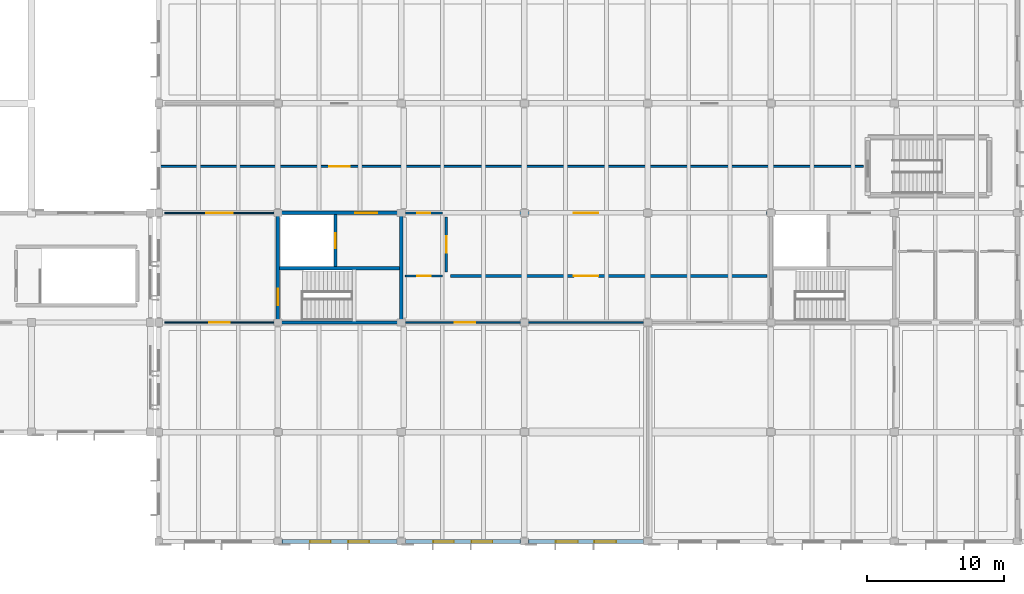
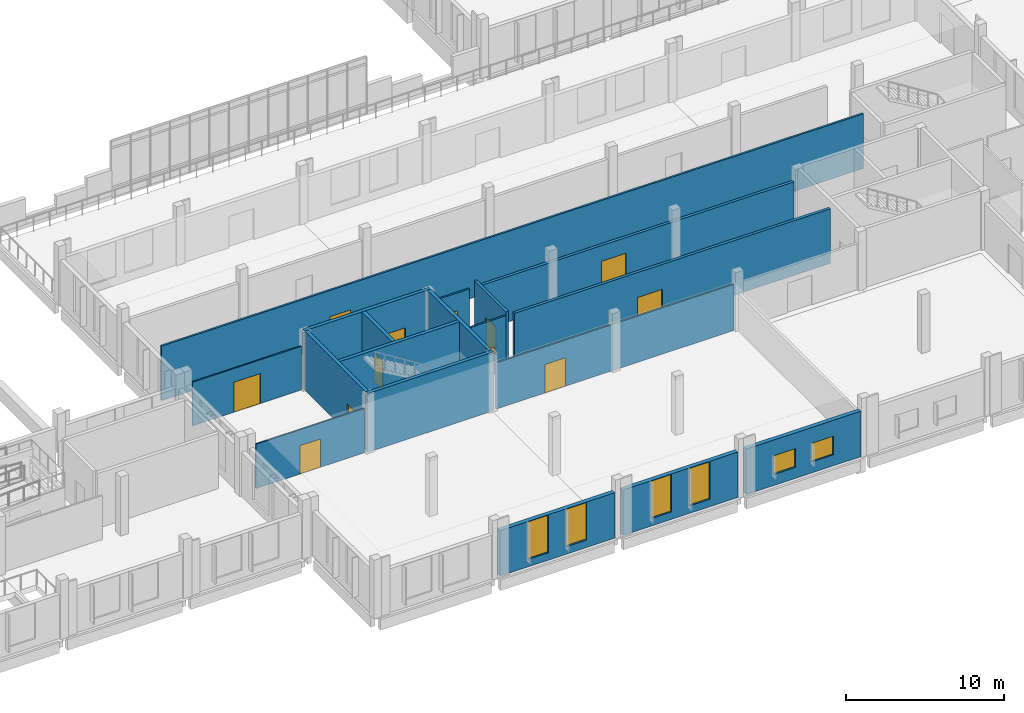
# One storey, part 40 of 63: 18 walls, 12 doors, 6 windows, 18 openings.
"""IFC4 building model written with IfcOpenShell, lengths in metres."""

from ifc_helpers import new_model, si_unit, direction, frame, frame_2d, origin, place, context, subcontext, project, spatial, rectangle, extrude, material, layer, layer_set, type_object, element, fill, save


model = new_model("IFC4")

# Units and contexts
model_context = context("Model", 3, precision=1e-05, world=origin(), true_north=direction((0.0, 1.0)))
body_context = subcontext(model_context, "Body", "Model", "MODEL_VIEW")
ifc_project = project(units=[si_unit("LENGTHUNIT", "METRE"), si_unit("AREAUNIT", "SQUARE_METRE"), si_unit("VOLUMEUNIT", "CUBIC_METRE"), si_unit("PLANEANGLEUNIT", "RADIAN"), si_unit("MASSUNIT", "GRAM", prefix="KILO")], contexts=[model_context])

# Site, building, storey
site_placement = place(None, origin())
site = spatial("IfcSite", under=ifc_project, at=site_placement, CompositionType="ELEMENT")
building_placement = place(site_placement, origin())
building = spatial("IfcBuilding", under=site, at=building_placement, Name="Zacnel Wholesale Market", CompositionType="ELEMENT")
storey_placement = place(building_placement, frame((0.0, 0.0, 11.199951171875)))
storey = spatial("IfcBuildingStorey", under=building, at=storey_placement, Name="L03", CompositionType="ELEMENT", Elevation=11.199951171875)

# Wall, opening, door
ifc_material_1 = material(Name="PIR insulated cold-store panel")
ifc_layer_1 = layer(ifc_material_1, 0.195068359375)
ifc_layer_set_1 = layer_set([ifc_layer_1], Name="PIR insulated cold-store panel")
wall_type_1 = type_object("IfcWallType", Name="WL-COLD-INT195", PredefinedType="STANDARD", material=ifc_layer_set_1)
wall_1_placement = place(storey_placement, frame((165.300048828125, 19.699951171875, 0.0), z_axis=(0.0, 0.0, 1.0), x_axis=(0.0, 1.0, 0.0)))
wall_1 = element("IfcWall", 1, at=wall_1_placement, inside=storey, type_object=wall_type_1, Name="Interior partition L03-0178", PredefinedType="STANDARD", context=body_context, shape_type="SweptSolid", body=[
    extrude(rectangle(XDim=4.0, YDim=0.195068359375, at=frame_2d((2.0, 0.0))), origin(), (0.0, 0.0, 1.0), 4.22998046875),
])
opening_1_placement = place(wall_1_placement, frame((1.39990234375, 0.0, 0.0)))
opening_1 = element("IfcOpeningElement", 2, at=opening_1_placement, cuts=wall_1, Name="Opening FD-01", PredefinedType="OPENING", context=body_context, shape_type="SweptSolid", body=[
    extrude(rectangle(XDim=1.199951171875, YDim=2.199951171875, at=frame_2d((0.60009765625, 1.10009765625))), frame((0.0, 0.107421875, 0.0), z_axis=(0.0, -1.0, 0.0), x_axis=(1.0, 0.0, 0.0)), (0.0, 0.0, 1.0), 0.215087890625),
])
ifc_material_2 = material(Name="Galvanized steel", Category="steel")
door_type_1 = type_object("IfcDoorType", Name="DR-FIRE-STAIR-1200", OperationType="NOTDEFINED", PredefinedType="DOOR", material=ifc_material_2)
door_1_placement = place(opening_1_placement, origin())
door_1 = element("IfcDoor", 3, at=door_1_placement, inside=storey, type_object=door_type_1, Name="Interior door L03-0141", OperationType="SINGLE_SWING_RIGHT", OverallHeight=2.199951171875, OverallWidth=1.199951171875, PredefinedType="DOOR", context=body_context, shape_type="SweptSolid", body=[
    extrude(rectangle(XDim=1.199951171875, YDim=2.199951171875, at=frame_2d((0.60009765625, 1.10009765625))), frame((0.0, 0.02490234375, 0.0), z_axis=(0.0, -1.0, 0.0), x_axis=(1.0, 0.0, 0.0)), (0.0, 0.0, 1.0), 0.050048828125),
])
fill(opening_1, door_1)

ifc_material_3 = material(Name="PIR insulated cold-store panel")
ifc_layer_2 = layer(ifc_material_3, 0.2099609375)
ifc_layer_set_2 = layer_set([ifc_layer_2], Name="PIR insulated cold-store panel")
wall_type_2 = type_object("IfcWallType", Name="WL-COLD-INT210", PredefinedType="STANDARD", material=ifc_layer_set_2)
wall_2_placement = place(storey_placement, frame((165.60009765625, 24.0, 0.0), z_axis=(0.0, 0.0, 1.0), x_axis=(1.0, 0.0, 0.0)))
wall_2 = element("IfcWall", 4, at=wall_2_placement, inside=storey, type_object=wall_type_2, Name="Interior partition L03-0171", PredefinedType="STANDARD", context=body_context, shape_type="SweptSolid", body=[
    extrude(rectangle(XDim=23.099853515625, YDim=0.2099609375, at=frame_2d((11.5498046875, 0.0))), origin(), (0.0, 0.0, 1.0), 3.52001953125),
])
opening_2_placement = place(wall_2_placement, frame((9.0, 0.0, 0.0)))
opening_2 = element("IfcOpeningElement", 5, at=opening_2_placement, cuts=wall_2, Name="Opening FD-03", PredefinedType="OPENING", context=body_context, shape_type="SweptSolid", body=[
    extrude(rectangle(XDim=1.800048828125, YDim=2.300048828125, at=frame_2d((0.89990234375, 1.14990234375))), frame((0.0, 0.114990234375, 0.0), z_axis=(0.0, -1.0, 0.0), x_axis=(1.0, 0.0, 0.0)), (0.0, 0.0, 1.0), 0.22998046875),
])
ifc_material_4 = material(Name="Galvanized steel", Category="steel")
door_type_2 = type_object("IfcDoorType", Name="DR-FIRE-COMP-1800", OperationType="NOTDEFINED", PredefinedType="DOOR", material=ifc_material_4)
door_2_placement = place(opening_2_placement, origin())
door_2 = element("IfcDoor", 6, at=door_2_placement, inside=storey, type_object=door_type_2, Name="Interior door L03-0135", OperationType="SINGLE_SWING_RIGHT", OverallHeight=2.300048828125, OverallWidth=1.800048828125, PredefinedType="DOOR", context=body_context, shape_type="SweptSolid", body=[
    extrude(rectangle(XDim=1.800048828125, YDim=2.300048828125, at=frame_2d((0.89990234375, 1.14990234375))), frame((0.0, 0.02490234375, 0.0), z_axis=(0.0, -1.0, 0.0), x_axis=(1.0, 0.0, 0.0)), (0.0, 0.0, 1.0), 0.050048828125),
])
fill(opening_2, door_2)

wall_3_placement = place(storey_placement, frame((165.60009765625, 19.39990234375, 0.0), z_axis=(0.0, 0.0, 1.0), x_axis=(1.0, 0.0, 0.0)))
wall_3 = element("IfcWall", 7, at=wall_3_placement, inside=storey, type_object=wall_type_2, Name="Interior partition L03-0177", PredefinedType="STANDARD", context=body_context, shape_type="SweptSolid", body=[
    extrude(rectangle(XDim=23.099853515625, YDim=0.2099609375, at=frame_2d((11.5498046875, 0.0))), origin(), (0.0, 0.0, 1.0), 4.22998046875),
])
opening_3_placement = place(wall_3_placement, frame((9.0, 0.0, 0.0)))
opening_3 = element("IfcOpeningElement", 8, at=opening_3_placement, cuts=wall_3, Name="Opening FD-03", PredefinedType="OPENING", context=body_context, shape_type="SweptSolid", body=[
    extrude(rectangle(XDim=1.800048828125, YDim=2.300048828125, at=frame_2d((0.89990234375, 1.14990234375))), frame((0.0, 0.114990234375, 0.0), z_axis=(0.0, -1.0, 0.0), x_axis=(1.0, 0.0, 0.0)), (0.0, 0.0, 1.0), 0.22998046875),
])
door_3_placement = place(opening_3_placement, origin())
door_3 = element("IfcDoor", 9, at=door_3_placement, inside=storey, type_object=door_type_2, Name="Interior door L03-0140", OperationType="SINGLE_SWING_LEFT", OverallHeight=2.300048828125, OverallWidth=1.800048828125, PredefinedType="DOOR", context=body_context, shape_type="SweptSolid", body=[
    extrude(rectangle(XDim=1.800048828125, YDim=2.300048828125, at=frame_2d((0.89990234375, 1.14990234375))), frame((0.0, 0.02490234375, 0.0), z_axis=(0.0, -1.0, 0.0), x_axis=(1.0, 0.0, 0.0)), (0.0, 0.0, 1.0), 0.050048828125),
])
fill(opening_3, door_3)

# Wall
ifc_material_5 = material(Name="Concrete C40/50", Category="concrete")
ifc_layer_3 = layer(ifc_material_5, 0.25)
ifc_layer_set_3 = layer_set([ifc_layer_3], Name="Concrete C40/50")
wall_type_3 = type_object("IfcWallType", Name="WL-CORE-SW250", PredefinedType="SOLIDWALL", material=ifc_layer_set_3)
wall_4_placement = place(storey_placement, frame((152.875, 16.0, 0.0), z_axis=(0.0, 0.0, 1.0), x_axis=(1.0, 0.0, 0.0)))
element("IfcWall", 10, at=wall_4_placement, inside=storey, type_object=wall_type_3, Name="Core C1 south shear wall L03", PredefinedType="SOLIDWALL", context=body_context, shape_type="SweptSolid", body=[
    extrude(rectangle(XDim=9.25, YDim=0.25, at=frame_2d((4.625, 0.0))), origin(), (0.0, 0.0, 1.0), 4.550048828125),
])

# Wall, opening, door
wall_5_placement = place(storey_placement, frame((152.875, 24.0, 0.0), z_axis=(0.0, 0.0, 1.0), x_axis=(1.0, 0.0, 0.0)))
wall_5 = element("IfcWall", 11, at=wall_5_placement, inside=storey, type_object=wall_type_3, Name="Core C1 north shear wall L03", PredefinedType="SOLIDWALL", context=body_context, shape_type="SweptSolid", body=[
    extrude(rectangle(XDim=9.25, YDim=0.25, at=frame_2d((4.625, 0.0))), origin(), (0.0, 0.0, 1.0), 4.550048828125),
])
opening_4_placement = place(wall_5_placement, frame((5.77490234375, 0.0, 0.0)))
opening_4 = element("IfcOpeningElement", 12, at=opening_4_placement, cuts=wall_5, Name="Opening FD-02", PredefinedType="OPENING", context=body_context, shape_type="SweptSolid", body=[
    extrude(rectangle(XDim=1.60009765625, YDim=2.199951171875, at=frame_2d((0.800048828125, 1.10009765625))), frame((0.0, 0.135009765625, 0.0), z_axis=(0.0, -1.0, 0.0), x_axis=(1.0, 0.0, 0.0)), (0.0, 0.0, 1.0), 0.27001953125),
])
ifc_material_6 = material(Name="Galvanized steel", Category="steel")
door_type_3 = type_object("IfcDoorType", Name="DR-FIRE-LOBBY-1600", OperationType="NOTDEFINED", PredefinedType="DOOR", material=ifc_material_6)
door_4_placement = place(opening_4_placement, origin())
door_4 = element("IfcDoor", 13, at=door_4_placement, inside=storey, type_object=door_type_3, Name="Core lift lobby fire door C1 L03", OperationType="SINGLE_SWING_RIGHT", OverallHeight=2.199951171875, OverallWidth=1.60009765625, PredefinedType="DOOR", context=body_context, shape_type="SweptSolid", body=[
    extrude(rectangle(XDim=1.60009765625, YDim=2.199951171875, at=frame_2d((0.800048828125, 1.10009765625))), frame((0.0, 0.02490234375, 0.0), z_axis=(0.0, -1.0, 0.0), x_axis=(1.0, 0.0, 0.0)), (0.0, 0.0, 1.0), 0.050048828125),
])
fill(opening_4, door_4)

wall_6_placement = place(storey_placement, frame((153.0, 16.125, 0.0), z_axis=(0.0, 0.0, 1.0), x_axis=(0.0, 1.0, 0.0)))
wall_6 = element("IfcWall", 14, at=wall_6_placement, inside=storey, type_object=wall_type_3, Name="Core C1 west shear wall L03", PredefinedType="SOLIDWALL", context=body_context, shape_type="SweptSolid", body=[
    extrude(rectangle(XDim=7.75, YDim=0.25, at=frame_2d((3.875, 0.0))), origin(), (0.0, 0.0, 1.0), 4.550048828125),
])
opening_5_placement = place(wall_6_placement, frame((1.14990234375, 0.0, 0.0)))
opening_5 = element("IfcOpeningElement", 15, at=opening_5_placement, cuts=wall_6, Name="Opening FD-01", PredefinedType="OPENING", context=body_context, shape_type="SweptSolid", body=[
    extrude(rectangle(XDim=1.199951171875, YDim=2.199951171875, at=frame_2d((0.60009765625, 1.10009765625))), frame((0.0, 0.135009765625, 0.0), z_axis=(0.0, -1.0, 0.0), x_axis=(1.0, 0.0, 0.0)), (0.0, 0.0, 1.0), 0.27001953125),
])
door_5_placement = place(opening_5_placement, origin())
door_5 = element("IfcDoor", 16, at=door_5_placement, inside=storey, type_object=door_type_1, Name="Protected stair fire door C1 L03", OperationType="SINGLE_SWING_LEFT", OverallHeight=2.199951171875, OverallWidth=1.199951171875, PredefinedType="DOOR", context=body_context, shape_type="SweptSolid", body=[
    extrude(rectangle(XDim=1.199951171875, YDim=2.199951171875, at=frame_2d((0.60009765625, 1.10009765625))), frame((0.0, 0.02490234375, 0.0), z_axis=(0.0, -1.0, 0.0), x_axis=(1.0, 0.0, 0.0)), (0.0, 0.0, 1.0), 0.050048828125),
])
fill(opening_5, door_5)

# Walls
wall_7_placement = place(storey_placement, frame((162.0, 16.125, 0.0), z_axis=(0.0, 0.0, 1.0), x_axis=(0.0, 1.0, 0.0)))
element("IfcWall", 17, at=wall_7_placement, inside=storey, type_object=wall_type_3, Name="Core C1 east shear wall L03", PredefinedType="SOLIDWALL", context=body_context, shape_type="SweptSolid", body=[
    extrude(rectangle(XDim=7.75, YDim=0.25, at=frame_2d((3.875, 0.0))), origin(), (0.0, 0.0, 1.0), 4.550048828125),
])
wall_8_placement = place(storey_placement, frame((153.125, 19.949951171875, 0.0), z_axis=(0.0, 0.0, 1.0), x_axis=(1.0, 0.0, 0.0)))
element("IfcWall", 18, at=wall_8_placement, inside=storey, type_object=wall_type_3, Name="Core C1 stair-shaft shear wall L03", PredefinedType="SOLIDWALL", context=body_context, shape_type="SweptSolid", body=[
    extrude(rectangle(XDim=8.75, YDim=0.25, at=frame_2d((4.375, 0.0))), origin(), (0.0, 0.0, 1.0), 4.550048828125),
])

# Wall, opening, door
wall_9_placement = place(storey_placement, frame((157.199951171875, 20.074951171875, 0.0), z_axis=(0.0, 0.0, 1.0), x_axis=(0.0, 1.0, 0.0)))
wall_9 = element("IfcWall", 19, at=wall_9_placement, inside=storey, type_object=wall_type_3, Name="Core C1 lift shaft front wall L03", PredefinedType="SOLIDWALL", context=body_context, shape_type="SweptSolid", body=[
    extrude(rectangle(XDim=3.800048828125, YDim=0.25, at=frame_2d((1.89990234375, 0.0))), origin(), (0.0, 0.0, 1.0), 4.550048828125),
])
opening_6_placement = place(wall_9_placement, frame((1.35009765625, 0.0, 0.0)))
opening_6 = element("IfcOpeningElement", 20, at=opening_6_placement, cuts=wall_9, Name="Opening LD-01", PredefinedType="OPENING", context=body_context, shape_type="SweptSolid", body=[
    extrude(rectangle(XDim=1.10009765625, YDim=2.199951171875, at=frame_2d((0.550048828125, 1.10009765625))), frame((0.0, 0.135009765625, 0.0), z_axis=(0.0, -1.0, 0.0), x_axis=(1.0, 0.0, 0.0)), (0.0, 0.0, 1.0), 0.27001953125),
])
ifc_material_7 = material(Name="Galvanized steel", Category="steel")
door_type_4 = type_object("IfcDoorType", Name="DR-LIFT-PASS-1100", OperationType="NOTDEFINED", PredefinedType="DOOR", material=ifc_material_7)
door_6_placement = place(opening_6_placement, origin())
door_6 = element("IfcDoor", 21, at=door_6_placement, inside=storey, type_object=door_type_4, Name="Lift landing door LP-01 L03", OperationType="SLIDING_TO_LEFT", OverallHeight=2.199951171875, OverallWidth=1.10009765625, PredefinedType="DOOR", context=body_context, shape_type="SweptSolid", body=[
    extrude(rectangle(XDim=1.10009765625, YDim=2.199951171875, at=frame_2d((0.550048828125, 1.10009765625))), frame((0.0, 0.02490234375, 0.0), z_axis=(0.0, -1.0, 0.0), x_axis=(1.0, 0.0, 0.0)), (0.0, 0.0, 1.0), 0.050048828125),
])
fill(opening_6, door_6)

# Wall, openings, windows
ifc_material_8 = material(Name="Precast concrete C40/50 (Cancun limestone aggregate)", Category="masonry")
ifc_layer_4 = layer(ifc_material_8, 0.300048828125)
ifc_layer_set_4 = layer_set([ifc_layer_4], Name="Precast concrete C40/50 (Cancun limestone aggregate)")
wall_type_4 = type_object("IfcWallType", Name="WL-EXT-LIME-300", PredefinedType="SOLIDWALL", material=ifc_layer_set_4)
wall_10_placement = place(storey_placement, frame((153.300048828125, 0.0, 0.0), z_axis=(0.0, 0.0, 1.0), x_axis=(1.0, 0.0, 0.0)))
wall_10 = element("IfcWall", 22, at=wall_10_placement, inside=storey, type_object=wall_type_4, Name="Exterior wall L03-0378", PredefinedType="SOLIDWALL", context=body_context, shape_type="SweptSolid", body=[
    extrude(rectangle(XDim=8.39990234375, YDim=0.300048828125, at=frame_2d((4.199951171875, 0.0))), origin(), (0.0, 0.0, 1.0), 3.52001953125),
])
opening_7_placement = place(wall_10_placement, frame((2.050048828125, 0.0, 0.580078125)))
opening_7 = element("IfcOpeningElement", 23, at=opening_7_placement, cuts=wall_10, Name="Opening W-04", PredefinedType="OPENING", context=body_context, shape_type="SweptSolid", body=[
    extrude(rectangle(XDim=1.5, YDim=2.89990234375, at=frame_2d((0.75, 1.449951171875))), frame((0.0, 0.159912109375, 0.0), z_axis=(0.0, -1.0, 0.0), x_axis=(1.0, 0.0, 0.0)), (0.0, 0.0, 1.0), 0.320068359375),
])
opening_8_placement = place(wall_10_placement, frame((4.85009765625, 0.0, 0.580078125)))
opening_8 = element("IfcOpeningElement", 24, at=opening_8_placement, cuts=wall_10, Name="Opening W-04", PredefinedType="OPENING", context=body_context, shape_type="SweptSolid", body=[
    extrude(rectangle(XDim=1.5, YDim=2.89990234375, at=frame_2d((0.75, 1.449951171875))), frame((0.0, 0.159912109375, 0.0), z_axis=(0.0, -1.0, 0.0), x_axis=(1.0, 0.0, 0.0)), (0.0, 0.0, 1.0), 0.320068359375),
])
ifc_material_9 = material(Name="Laminated hurricane-impact low-E insulated glass", Category="glass")
window_type_1 = type_object("IfcWindowType", Name="WIN-DEC-1500X2900", PartitioningType="DOUBLE_PANEL_VERTICAL", PredefinedType="WINDOW", material=ifc_material_9)
window_1_placement = place(opening_7_placement, origin())
window_1 = element("IfcWindow", 25, at=window_1_placement, inside=storey, type_object=window_type_1, Name="Window L03-0387", OverallHeight=2.89990234375, OverallWidth=1.5, PartitioningType="DOUBLE_PANEL_VERTICAL", PredefinedType="WINDOW", context=body_context, shape_type="SweptSolid", body=[
    extrude(rectangle(XDim=1.5, YDim=2.89990234375, at=frame_2d((0.75, 1.449951171875))), frame((0.0, 0.030029296875, 0.0), z_axis=(0.0, -1.0, 0.0), x_axis=(1.0, 0.0, 0.0)), (0.0, 0.0, 1.0), 0.06005859375),
])
fill(opening_7, window_1)
window_2_placement = place(opening_8_placement, origin())
window_2 = element("IfcWindow", 26, at=window_2_placement, inside=storey, type_object=window_type_1, Name="Window L03-0388", OverallHeight=2.89990234375, OverallWidth=1.5, PartitioningType="DOUBLE_PANEL_VERTICAL", PredefinedType="WINDOW", context=body_context, shape_type="SweptSolid", body=[
    extrude(rectangle(XDim=1.5, YDim=2.89990234375, at=frame_2d((0.75, 1.449951171875))), frame((0.0, 0.030029296875, 0.0), z_axis=(0.0, -1.0, 0.0), x_axis=(1.0, 0.0, 0.0)), (0.0, 0.0, 1.0), 0.06005859375),
])
fill(opening_8, window_2)

wall_11_placement = place(storey_placement, frame((162.300048828125, 0.0, 0.0), z_axis=(0.0, 0.0, 1.0), x_axis=(1.0, 0.0, 0.0)))
wall_11 = element("IfcWall", 27, at=wall_11_placement, inside=storey, type_object=wall_type_4, Name="Exterior wall L03-0379", PredefinedType="SOLIDWALL", context=body_context, shape_type="SweptSolid", body=[
    extrude(rectangle(XDim=8.39990234375, YDim=0.300048828125, at=frame_2d((4.199951171875, 0.0))), origin(), (0.0, 0.0, 1.0), 3.52001953125),
])
opening_9_placement = place(wall_11_placement, frame((2.050048828125, 0.0, 0.580078125)))
opening_9 = element("IfcOpeningElement", 28, at=opening_9_placement, cuts=wall_11, Name="Opening W-04", PredefinedType="OPENING", context=body_context, shape_type="SweptSolid", body=[
    extrude(rectangle(XDim=1.5, YDim=2.89990234375, at=frame_2d((0.75, 1.449951171875))), frame((0.0, 0.159912109375, 0.0), z_axis=(0.0, -1.0, 0.0), x_axis=(1.0, 0.0, 0.0)), (0.0, 0.0, 1.0), 0.320068359375),
])
opening_10_placement = place(wall_11_placement, frame((4.85009765625, 0.0, 0.580078125)))
opening_10 = element("IfcOpeningElement", 29, at=opening_10_placement, cuts=wall_11, Name="Opening W-04", PredefinedType="OPENING", context=body_context, shape_type="SweptSolid", body=[
    extrude(rectangle(XDim=1.5, YDim=2.89990234375, at=frame_2d((0.75, 1.449951171875))), frame((0.0, 0.159912109375, 0.0), z_axis=(0.0, -1.0, 0.0), x_axis=(1.0, 0.0, 0.0)), (0.0, 0.0, 1.0), 0.320068359375),
])
window_3_placement = place(opening_9_placement, origin())
window_3 = element("IfcWindow", 30, at=window_3_placement, inside=storey, type_object=window_type_1, Name="Window L03-0389", OverallHeight=2.89990234375, OverallWidth=1.5, PartitioningType="DOUBLE_PANEL_VERTICAL", PredefinedType="WINDOW", context=body_context, shape_type="SweptSolid", body=[
    extrude(rectangle(XDim=1.5, YDim=2.89990234375, at=frame_2d((0.75, 1.449951171875))), frame((0.0, 0.030029296875, 0.0), z_axis=(0.0, -1.0, 0.0), x_axis=(1.0, 0.0, 0.0)), (0.0, 0.0, 1.0), 0.06005859375),
])
fill(opening_9, window_3)
window_4_placement = place(opening_10_placement, origin())
window_4 = element("IfcWindow", 31, at=window_4_placement, inside=storey, type_object=window_type_1, Name="Window L03-0390", OverallHeight=2.89990234375, OverallWidth=1.5, PartitioningType="DOUBLE_PANEL_VERTICAL", PredefinedType="WINDOW", context=body_context, shape_type="SweptSolid", body=[
    extrude(rectangle(XDim=1.5, YDim=2.89990234375, at=frame_2d((0.75, 1.449951171875))), frame((0.0, 0.030029296875, 0.0), z_axis=(0.0, -1.0, 0.0), x_axis=(1.0, 0.0, 0.0)), (0.0, 0.0, 1.0), 0.06005859375),
])
fill(opening_10, window_4)

wall_12_placement = place(storey_placement, frame((171.300048828125, 0.0, 0.0), z_axis=(0.0, 0.0, 1.0), x_axis=(1.0, 0.0, 0.0)))
wall_12 = element("IfcWall", 32, at=wall_12_placement, inside=storey, type_object=wall_type_4, Name="Exterior wall L03-0380", PredefinedType="SOLIDWALL", context=body_context, shape_type="SweptSolid", body=[
    extrude(rectangle(XDim=8.39990234375, YDim=0.300048828125, at=frame_2d((4.199951171875, 0.0))), origin(), (0.0, 0.0, 1.0), 3.52001953125),
])
opening_11_placement = place(wall_12_placement, frame((2.0, 0.0, 0.85009765625)))
opening_11 = element("IfcOpeningElement", 33, at=opening_11_placement, cuts=wall_12, Name="Opening W-06", PredefinedType="OPENING", context=body_context, shape_type="SweptSolid", body=[
    extrude(rectangle(XDim=1.60009765625, YDim=1.449951171875, at=frame_2d((0.800048828125, 0.72509765625))), frame((0.0, 0.159912109375, 0.0), z_axis=(0.0, -1.0, 0.0), x_axis=(1.0, 0.0, 0.0)), (0.0, 0.0, 1.0), 0.320068359375),
])
opening_12_placement = place(wall_12_placement, frame((4.800048828125, 0.0, 0.85009765625)))
opening_12 = element("IfcOpeningElement", 34, at=opening_12_placement, cuts=wall_12, Name="Opening W-06", PredefinedType="OPENING", context=body_context, shape_type="SweptSolid", body=[
    extrude(rectangle(XDim=1.60009765625, YDim=1.449951171875, at=frame_2d((0.800048828125, 0.72509765625))), frame((0.0, 0.159912109375, 0.0), z_axis=(0.0, -1.0, 0.0), x_axis=(1.0, 0.0, 0.0)), (0.0, 0.0, 1.0), 0.320068359375),
])
ifc_material_10 = material(Name="Laminated hurricane-impact low-E insulated glass", Category="glass")
window_type_2 = type_object("IfcWindowType", Name="WIN-HIG-1600X1450", PartitioningType="DOUBLE_PANEL_HORIZONTAL", PredefinedType="WINDOW", material=ifc_material_10)
window_5_placement = place(opening_11_placement, origin())
window_5 = element("IfcWindow", 35, at=window_5_placement, inside=storey, type_object=window_type_2, Name="Window L03-0391", OverallHeight=1.449951171875, OverallWidth=1.60009765625, PartitioningType="DOUBLE_PANEL_HORIZONTAL", PredefinedType="WINDOW", context=body_context, shape_type="SweptSolid", body=[
    extrude(rectangle(XDim=1.60009765625, YDim=1.449951171875, at=frame_2d((0.800048828125, 0.72509765625))), frame((0.0, 0.030029296875, 0.0), z_axis=(0.0, -1.0, 0.0), x_axis=(1.0, 0.0, 0.0)), (0.0, 0.0, 1.0), 0.06005859375),
])
fill(opening_11, window_5)
window_6_placement = place(opening_12_placement, origin())
window_6 = element("IfcWindow", 36, at=window_6_placement, inside=storey, type_object=window_type_2, Name="Window L03-0392", OverallHeight=1.449951171875, OverallWidth=1.60009765625, PartitioningType="DOUBLE_PANEL_HORIZONTAL", PredefinedType="WINDOW", context=body_context, shape_type="SweptSolid", body=[
    extrude(rectangle(XDim=1.60009765625, YDim=1.449951171875, at=frame_2d((0.800048828125, 0.72509765625))), frame((0.0, 0.030029296875, 0.0), z_axis=(0.0, -1.0, 0.0), x_axis=(1.0, 0.0, 0.0)), (0.0, 0.0, 1.0), 0.06005859375),
])
fill(opening_12, window_6)

# Wall, opening, door
ifc_material_11 = material(Name="Moisture-resistant gypsum board partition")
ifc_layer_5 = layer(ifc_material_11, 0.10009765625)
ifc_layer_set_5 = layer_set([ifc_layer_5], Name="Moisture-resistant gypsum board partition")
wall_type_5 = type_object("IfcWallType", Name="WL-PART-GYP100", PredefinedType="PARTITIONING", material=ifc_layer_set_5)
wall_13_placement = place(storey_placement, frame((144.75, 24.0, 0.0), z_axis=(0.0, 0.0, 1.0), x_axis=(1.0, 0.0, 0.0)))
wall_13 = element("IfcWall", 37, at=wall_13_placement, inside=storey, type_object=wall_type_5, Name="Interior partition L03-0172", PredefinedType="PARTITIONING", context=body_context, shape_type="SweptSolid", body=[
    extrude(rectangle(XDim=7.949951171875, YDim=0.10009765625, at=frame_2d((3.97509765625, 0.0))), origin(), (0.0, 0.0, 1.0), 3.380126953125),
])
opening_13_placement = place(wall_13_placement, frame((3.0048828125, 0.0, 0.0)))
opening_13 = element("IfcOpeningElement", 38, at=opening_13_placement, cuts=wall_13, Name="Opening ID-16", PredefinedType="OPENING", context=body_context, shape_type="SweptSolid", body=[
    extrude(rectangle(XDim=1.93994140625, YDim=2.320068359375, at=frame_2d((0.969970703125, 1.16015625))), frame((0.0, 0.06005859375, 0.0), z_axis=(0.0, -1.0, 0.0), x_axis=(1.0, 0.0, 0.0)), (0.0, 0.0, 1.0), 0.1201171875),
])
ifc_material_12 = material(Name="Solid-core tropical hardwood door", Category="wood")
door_type_5 = type_object("IfcDoorType", Name="DR-HALL-DBL-1940", OperationType="NOTDEFINED", PredefinedType="DOOR", material=ifc_material_12)
door_7_placement = place(opening_13_placement, origin())
door_7 = element("IfcDoor", 39, at=door_7_placement, inside=storey, type_object=door_type_5, Name="Interior door L03-0136", OperationType="DOUBLE_DOOR_SINGLE_SWING", OverallHeight=2.320068359375, OverallWidth=1.93994140625, PredefinedType="DOOR", context=body_context, shape_type="SweptSolid", body=[
    extrude(rectangle(XDim=1.93994140625, YDim=2.320068359375, at=frame_2d((0.969970703125, 1.16015625))), frame((0.0, 0.02490234375, 0.0), z_axis=(0.0, -1.0, 0.0), x_axis=(1.0, 0.0, 0.0)), (0.0, 0.0, 1.0), 0.050048828125),
])
fill(opening_13, door_7)

wall_14_placement = place(storey_placement, frame((144.75, 16.0, 0.0), z_axis=(0.0, 0.0, 1.0), x_axis=(1.0, 0.0, 0.0)))
wall_14 = element("IfcWall", 40, at=wall_14_placement, inside=storey, type_object=wall_type_5, Name="Interior partition L03-0180", PredefinedType="PARTITIONING", context=body_context, shape_type="SweptSolid", body=[
    extrude(rectangle(XDim=7.949951171875, YDim=0.10009765625, at=frame_2d((3.97509765625, 0.0))), origin(), (0.0, 0.0, 1.0), 3.429931640625),
])
opening_14_placement = place(wall_14_placement, frame((3.22509765625, 0.0, 0.0)))
opening_14 = element("IfcOpeningElement", 41, at=opening_14_placement, cuts=wall_14, Name="Opening ID-09", PredefinedType="OPENING", context=body_context, shape_type="SweptSolid", body=[
    extrude(rectangle(XDim=1.5, YDim=2.199951171875, at=frame_2d((0.75, 1.10009765625))), frame((0.0, 0.06005859375, 0.0), z_axis=(0.0, -1.0, 0.0), x_axis=(1.0, 0.0, 0.0)), (0.0, 0.0, 1.0), 0.1201171875),
])
ifc_material_13 = material(Name="Galvanized steel", Category="steel")
door_type_6 = type_object("IfcDoorType", Name="DR-KIT-DBL-1500", OperationType="NOTDEFINED", PredefinedType="DOOR", material=ifc_material_13)
door_8_placement = place(opening_14_placement, origin())
door_8 = element("IfcDoor", 42, at=door_8_placement, inside=storey, type_object=door_type_6, Name="Interior door L03-0142", OperationType="DOUBLE_DOOR_SINGLE_SWING", OverallHeight=2.199951171875, OverallWidth=1.5, PredefinedType="DOOR", context=body_context, shape_type="SweptSolid", body=[
    extrude(rectangle(XDim=1.5, YDim=2.199951171875, at=frame_2d((0.75, 1.10009765625))), frame((0.0, 0.02490234375, 0.0), z_axis=(0.0, -1.0, 0.0), x_axis=(1.0, 0.0, 0.0)), (0.0, 0.0, 1.0), 0.050048828125),
])
fill(opening_14, door_8)

ifc_material_14 = material(Name="Moisture-resistant gypsum board partition")
ifc_layer_6 = layer(ifc_material_14, 0.110107421875)
ifc_layer_set_6 = layer_set([ifc_layer_6], Name="Moisture-resistant gypsum board partition")
wall_type_6 = type_object("IfcWallType", Name="WL-PART-GYP110", PredefinedType="PARTITIONING", material=ifc_layer_set_6)
wall_15_placement = place(storey_placement, frame((162.300048828125, 16.0, 0.0), z_axis=(0.0, 0.0, 1.0), x_axis=(1.0, 0.0, 0.0)))
wall_15 = element("IfcWall", 43, at=wall_15_placement, inside=storey, type_object=wall_type_6, Name="Interior partition L03-0175", PredefinedType="PARTITIONING", context=body_context, shape_type="SweptSolid", body=[
    extrude(rectangle(XDim=17.39990234375, YDim=0.110107421875, at=frame_2d((8.699951171875, 0.0))), origin(), (0.0, 0.0, 1.0), 3.570068359375),
])
opening_15_placement = place(wall_15_placement, frame((3.60009765625, 0.0, 0.0)))
opening_15 = element("IfcOpeningElement", 44, at=opening_15_placement, cuts=wall_15, Name="Opening ID-09", PredefinedType="OPENING", context=body_context, shape_type="SweptSolid", body=[
    extrude(rectangle(XDim=1.5, YDim=2.199951171875, at=frame_2d((0.75, 1.10009765625))), frame((0.0, 0.06494140625, 0.0), z_axis=(0.0, -1.0, 0.0), x_axis=(1.0, 0.0, 0.0)), (0.0, 0.0, 1.0), 0.130126953125),
])
door_9_placement = place(opening_15_placement, origin())
door_9 = element("IfcDoor", 45, at=door_9_placement, inside=storey, type_object=door_type_6, Name="Interior door L03-0138", OperationType="DOUBLE_DOOR_SINGLE_SWING", OverallHeight=2.199951171875, OverallWidth=1.5, PredefinedType="DOOR", context=body_context, shape_type="SweptSolid", body=[
    extrude(rectangle(XDim=1.5, YDim=2.199951171875, at=frame_2d((0.75, 1.10009765625))), frame((0.0, 0.02490234375, 0.0), z_axis=(0.0, -1.0, 0.0), x_axis=(1.0, 0.0, 0.0)), (0.0, 0.0, 1.0), 0.050048828125),
])
fill(opening_15, door_9)

ifc_material_15 = material(Name="Moisture-resistant gypsum board partition")
ifc_layer_7 = layer(ifc_material_15, 0.125)
ifc_layer_set_7 = layer_set([ifc_layer_7], Name="Moisture-resistant gypsum board partition")
wall_type_7 = type_object("IfcWallType", Name="WL-PART-GYP125", PredefinedType="PARTITIONING", material=ifc_layer_set_7)
wall_16_placement = place(storey_placement, frame((162.300048828125, 24.0, 0.0), z_axis=(0.0, 0.0, 1.0), x_axis=(1.0, 0.0, 0.0)))
wall_16 = element("IfcWall", 46, at=wall_16_placement, inside=storey, type_object=wall_type_7, Name="Interior partition L03-0170", PredefinedType="PARTITIONING", context=body_context, shape_type="SweptSolid", body=[
    extrude(rectangle(XDim=2.699951171875, YDim=0.125, at=frame_2d((1.35009765625, 0.0))), origin(), (0.0, 0.0, 1.0), 3.52001953125),
])
opening_16_placement = place(wall_16_placement, frame((0.8798828125, 0.0, 0.0)))
opening_16 = element("IfcOpeningElement", 47, at=opening_16_placement, cuts=wall_16, Name="Opening ID-11", PredefinedType="OPENING", context=body_context, shape_type="SweptSolid", body=[
    extrude(rectangle(XDim=0.93994140625, YDim=2.139892578125, at=frame_2d((0.469970703125, 1.06982421875))), frame((0.0, 0.072509765625, 0.0), z_axis=(0.0, -1.0, 0.0), x_axis=(1.0, 0.0, 0.0)), (0.0, 0.0, 1.0), 0.14501953125),
])
ifc_material_16 = material(Name="Solid-core tropical hardwood door", Category="wood")
door_type_7 = type_object("IfcDoorType", Name="DR-OFF-SGL-940", OperationType="NOTDEFINED", PredefinedType="DOOR", material=ifc_material_16)
door_10_placement = place(opening_16_placement, origin())
door_10 = element("IfcDoor", 48, at=door_10_placement, inside=storey, type_object=door_type_7, Name="Interior door L03-0134", OperationType="SINGLE_SWING_LEFT", OverallHeight=2.139892578125, OverallWidth=0.93994140625, PredefinedType="DOOR", context=body_context, shape_type="SweptSolid", body=[
    extrude(rectangle(XDim=0.93994140625, YDim=2.139892578125, at=frame_2d((0.469970703125, 1.06982421875))), frame((0.0, 0.02490234375, 0.0), z_axis=(0.0, -1.0, 0.0), x_axis=(1.0, 0.0, 0.0)), (0.0, 0.0, 1.0), 0.050048828125),
])
fill(opening_16, door_10)

wall_17_placement = place(storey_placement, frame((162.300048828125, 19.39990234375, 0.0), z_axis=(0.0, 0.0, 1.0), x_axis=(1.0, 0.0, 0.0)))
wall_17 = element("IfcWall", 49, at=wall_17_placement, inside=storey, type_object=wall_type_7, Name="Interior partition L03-0174", PredefinedType="PARTITIONING", context=body_context, shape_type="SweptSolid", body=[
    extrude(rectangle(XDim=2.699951171875, YDim=0.125, at=frame_2d((1.35009765625, 0.0))), origin(), (0.0, 0.0, 1.0), 4.22998046875),
])
opening_17_placement = place(wall_17_placement, frame((0.860107421875, 0.0, 0.0)))
opening_17 = element("IfcOpeningElement", 50, at=opening_17_placement, cuts=wall_17, Name="Opening ID-04", PredefinedType="OPENING", context=body_context, shape_type="SweptSolid", body=[
    extrude(rectangle(XDim=0.97998046875, YDim=2.1201171875, at=frame_2d((0.489990234375, 1.06005859375))), frame((0.0, 0.072509765625, 0.0), z_axis=(0.0, -1.0, 0.0), x_axis=(1.0, 0.0, 0.0)), (0.0, 0.0, 1.0), 0.14501953125),
])
ifc_material_17 = material(Name="Solid-core tropical hardwood door", Category="wood")
door_type_8 = type_object("IfcDoorType", Name="DR-OFF-SGL-980", OperationType="NOTDEFINED", PredefinedType="DOOR", material=ifc_material_17)
door_11_placement = place(opening_17_placement, origin())
door_11 = element("IfcDoor", 51, at=door_11_placement, inside=storey, type_object=door_type_8, Name="Interior door L03-0137", OperationType="SINGLE_SWING_LEFT", OverallHeight=2.1201171875, OverallWidth=0.97998046875, PredefinedType="DOOR", context=body_context, shape_type="SweptSolid", body=[
    extrude(rectangle(XDim=0.97998046875, YDim=2.1201171875, at=frame_2d((0.489990234375, 1.06005859375))), frame((0.0, 0.02490234375, 0.0), z_axis=(0.0, -1.0, 0.0), x_axis=(1.0, 0.0, 0.0)), (0.0, 0.0, 1.0), 0.050048828125),
])
fill(opening_17, door_11)

ifc_material_18 = material(Name="Moisture-resistant gypsum board partition")
ifc_layer_8 = layer(ifc_material_18, 0.139892578125)
ifc_layer_set_8 = layer_set([ifc_layer_8], Name="Moisture-resistant gypsum board partition")
wall_type_8 = type_object("IfcWallType", Name="WL-PART-GYP140", PredefinedType="PARTITIONING", material=ifc_layer_set_8)
wall_18_placement = place(storey_placement, frame((144.429931640625, 27.39990234375, 0.0), z_axis=(0.0, 0.0, 1.0), x_axis=(1.0, 0.0, 0.0)))
wall_18 = element("IfcWall", 52, at=wall_18_placement, inside=storey, type_object=wall_type_8, Name="Interior partition L03-0169", PredefinedType="PARTITIONING", context=body_context, shape_type="SweptSolid", body=[
    extrude(rectangle(XDim=51.320068359375, YDim=0.139892578125, at=frame_2d((25.66015625, 0.0))), origin(), (0.0, 0.0, 1.0), 4.22998046875),
])
opening_18_placement = place(wall_18_placement, frame((12.320068359375, 0.0, 0.0)))
opening_18 = element("IfcOpeningElement", 53, at=opening_18_placement, cuts=wall_18, Name="Opening ID-09", PredefinedType="OPENING", context=body_context, shape_type="SweptSolid", body=[
    extrude(rectangle(XDim=1.5, YDim=2.199951171875, at=frame_2d((0.75, 1.10009765625))), frame((0.0, 0.079833984375, 0.0), z_axis=(0.0, -1.0, 0.0), x_axis=(1.0, 0.0, 0.0)), (0.0, 0.0, 1.0), 0.159912109375),
])
door_12_placement = place(opening_18_placement, origin())
door_12 = element("IfcDoor", 54, at=door_12_placement, inside=storey, type_object=door_type_6, Name="Interior door L03-0133", OperationType="DOUBLE_DOOR_SINGLE_SWING", OverallHeight=2.199951171875, OverallWidth=1.5, PredefinedType="DOOR", context=body_context, shape_type="SweptSolid", body=[
    extrude(rectangle(XDim=1.5, YDim=2.199951171875, at=frame_2d((0.75, 1.10009765625))), frame((0.0, 0.02490234375, 0.0), z_axis=(0.0, -1.0, 0.0), x_axis=(1.0, 0.0, 0.0)), (0.0, 0.0, 1.0), 0.050048828125),
])
fill(opening_18, door_12)

save(model, "model.ifc")
